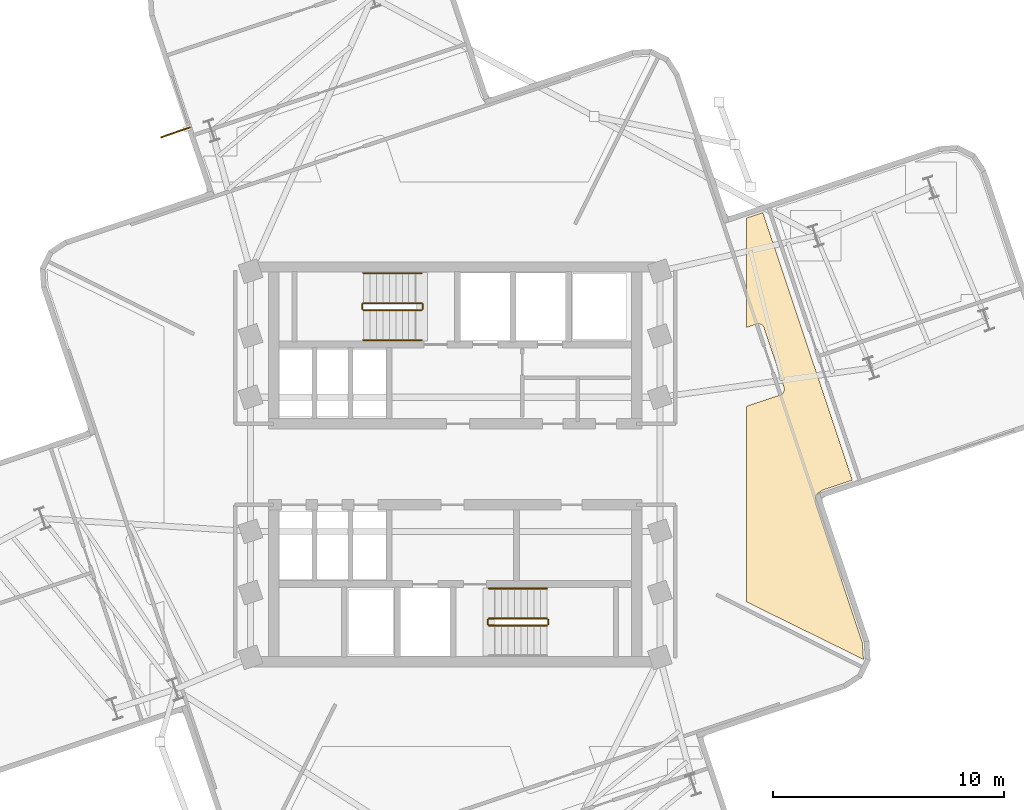
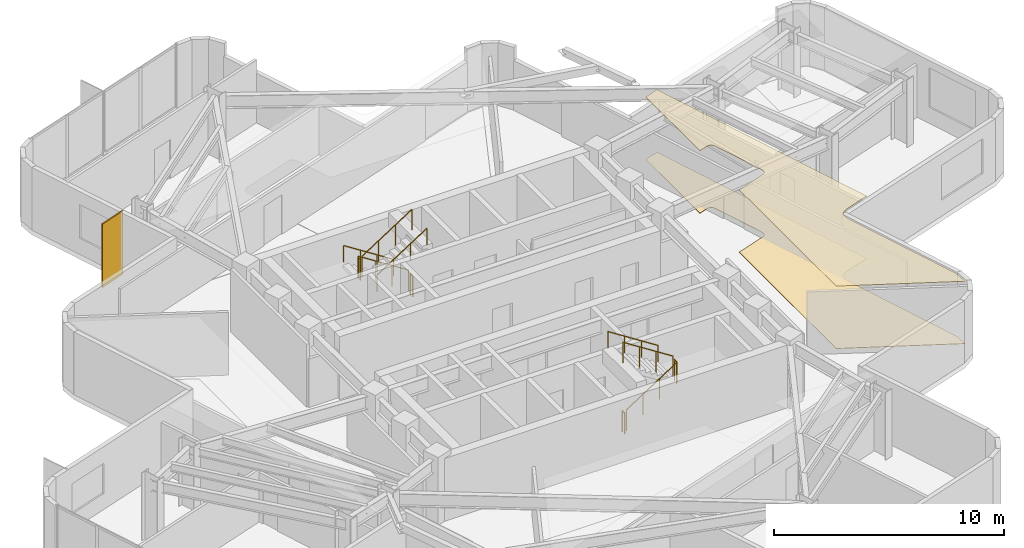
# One storey, part 11 of 12: 11 railings, 2 coverings, 1 shading device.
"""IFC4 building model written with IfcOpenShell, lengths in metres."""

from ifc_helpers import new_model, si_unit, direction, frame, origin, origin_2d, place, context, subcontext, project, spatial, polyline, rectangle, circle, outline, extrude, material, layer, layer_set, type_object, element, save


model = new_model("IFC4")

# Units and contexts
model_context = context("Model", 3, precision=1e-05, world=origin(), true_north=direction((0.0, 1.0)))
body_context = subcontext(model_context, "Body", "Model", "MODEL_VIEW")
ifc_project = project(units=[si_unit("LENGTHUNIT", "METRE"), si_unit("AREAUNIT", "SQUARE_METRE"), si_unit("VOLUMEUNIT", "CUBIC_METRE"), si_unit("PLANEANGLEUNIT", "RADIAN"), si_unit("MASSUNIT", "GRAM", prefix="KILO")], contexts=[model_context])

# Site, building, storey
site_placement = place(None, origin())
site = spatial("IfcSite", under=ifc_project, at=site_placement, CompositionType="ELEMENT")
building_placement = place(site_placement, origin())
building = spatial("IfcBuilding", under=site, at=building_placement, Name="Solmarez Civic Tower", CompositionType="ELEMENT")
storey_placement = place(building_placement, frame((0.0, 0.0, 163.080078125)))
storey = spatial("IfcBuildingStorey", under=building, at=storey_placement, Name="L43", CompositionType="ELEMENT", Elevation=163.080078125)

# Coverings
ifc_material_1 = material(Name="Perforated Mineral-Fibre Acoustic Ceiling")
ifc_layer_1 = layer(ifc_material_1, 0.02490234375)
ifc_layer_set_1 = layer_set([ifc_layer_1], Name="Perforated Mineral-Fibre Acoustic Ceiling")
covering_type_1 = type_object("IfcCoveringType", Name="COV-CEIL-ACOUSTIC", PredefinedType="CEILING", material=ifc_layer_set_1)
covering_1_placement = place(storey_placement, frame((0.0, 0.0, 3.31494140625)))
element("IfcCovering", 1, at=covering_1_placement, inside=storey, type_object=covering_type_1, Name="L43 Suspended Acoustic Ceiling 3", PredefinedType="CEILING", context=body_context, shape_type="SweptSolid", body=[
    extrude(outline(polyline([(12.60009765625, 10.64794921875), (12.60009765625, 5.924072265625), (13.01611328125, 6.06298828125), (13.030029296875, 6.068115234375), (13.050048828125, 6.072998046875), (13.054931640625, 6.073974609375), (13.075927734375, 6.076904296875), (13.097900390625, 6.077880859375), (13.10693359375, 6.077880859375), (13.12890625, 6.076904296875), (13.14990234375, 6.073974609375), (13.155029296875, 6.072998046875), (13.159912109375, 6.072021484375), (13.18701171875, 6.06494140625), (13.196044921875, 6.06201171875), (13.215087890625, 6.053955078125), (13.23291015625, 6.044921875), (13.241943359375, 6.0400390625), (13.259033203125, 6.030029296875), (13.27490234375, 6.01708984375), (13.291015625, 6.00390625), (13.298095703125, 5.9970703125), (13.31396484375, 5.97802734375), (13.3291015625, 5.9580078125), (13.333984375, 5.949951171875), (13.347900390625, 5.922119140625), (13.35205078125, 5.9130859375), (13.360107421875, 5.89404296875), (14.216064453125, 3.3359375), (14.220947265625, 3.322021484375), (14.22607421875, 3.302001953125), (14.22705078125, 3.297119140625), (14.22998046875, 3.27587890625), (14.23095703125, 3.25390625), (14.23095703125, 3.2451171875), (14.22998046875, 3.222900390625), (14.22705078125, 3.201904296875), (14.22607421875, 3.197021484375), (14.22509765625, 3.19189453125), (14.218017578125, 3.1650390625), (14.215087890625, 3.156005859375), (14.2060546875, 3.134033203125), (14.195068359375, 3.113037109375), (14.19189453125, 3.10791015625), (14.180908203125, 3.092041015625), (14.169921875, 3.077880859375), (14.1650390625, 3.072021484375), (14.156982421875, 3.06201171875), (14.14306640625, 3.048095703125), (14.126953125, 3.034912109375), (14.111083984375, 3.02294921875), (14.10302734375, 3.01806640625), (14.074951171875, 3.00390625), (14.06591796875, 3.0), (14.047119140625, 2.991943359375), (12.60009765625, 2.508056640625), (12.60009765625, -5.950927734375), (17.65087890625, -8.43505859375), (17.654052734375, -8.428955078125), (17.610107421875, -7.720947265625), (15.611083984375, -1.748046875), (15.60791015625, -1.738037109375), (15.60595703125, -1.73095703125), (15.60009765625, -1.701904296875), (15.59912109375, -1.695068359375), (15.597900390625, -1.68798828125), (15.595947265625, -1.6708984375), (15.5849609375, -1.4990234375), (15.5849609375, -1.485107421875), (15.5849609375, -1.47802734375), (15.5869140625, -1.450927734375), (15.587890625, -1.43896484375), (15.589111328125, -1.431884765625), (15.593994140625, -1.409912109375), (15.595947265625, -1.402099609375), (15.60107421875, -1.385009765625), (15.60693359375, -1.367919921875), (15.610107421875, -1.361083984375), (15.614990234375, -1.35009765625), (15.617919921875, -1.343994140625), (15.6240234375, -1.3330078125), (15.6279296875, -1.325927734375), (15.637939453125, -1.31005859375), (15.64990234375, -1.2939453125), (15.655029296875, -1.2880859375), (15.659912109375, -1.281982421875), (15.673095703125, -1.26708984375), (15.68798828125, -1.25390625), (15.694091796875, -1.2490234375), (15.712890625, -1.235107421875), (15.718994140625, -1.23095703125), (15.862060546875, -1.135986328125), (15.867919921875, -1.132080078125), (15.885009765625, -1.1220703125), (15.903076171875, -1.113037109375), (15.909912109375, -1.110107421875), (15.927001953125, -1.10302734375), (15.93310546875, -1.10107421875), (17.176025390625, -0.68603515625), (13.303955078125, 10.884033203125), (12.60009765625, 10.64794921875)])), origin(), (0.0, 0.0, 1.0), 0.02490234375),
])
ifc_material_2 = material(Name="Polished Tropical Stone Terrazzo Flooring", Category="masonry")
ifc_layer_2 = layer(ifc_material_2, 0.02001953125)
ifc_layer_set_2 = layer_set([ifc_layer_2], Name="Polished Tropical Stone Terrazzo Flooring")
covering_type_2 = type_object("IfcCoveringType", Name="COV-FLOOR-TERRAZZO", PredefinedType="FLOORING", material=ifc_layer_set_2)
covering_2_placement = place(storey_placement, origin())
element("IfcCovering", 2, at=covering_2_placement, inside=storey, type_object=covering_type_2, Name="L43 Terrazzo Floor Finish 3", PredefinedType="FLOORING", context=body_context, shape_type="SweptSolid", body=[
    extrude(outline(polyline([(12.60009765625, 10.64794921875), (12.60009765625, 5.924072265625), (13.01611328125, 6.06298828125), (13.030029296875, 6.068115234375), (13.050048828125, 6.072998046875), (13.054931640625, 6.073974609375), (13.075927734375, 6.076904296875), (13.097900390625, 6.077880859375), (13.10693359375, 6.077880859375), (13.12890625, 6.076904296875), (13.14990234375, 6.073974609375), (13.155029296875, 6.072998046875), (13.159912109375, 6.072021484375), (13.18701171875, 6.06494140625), (13.196044921875, 6.06201171875), (13.215087890625, 6.053955078125), (13.23291015625, 6.044921875), (13.241943359375, 6.0400390625), (13.259033203125, 6.030029296875), (13.27490234375, 6.01708984375), (13.291015625, 6.00390625), (13.298095703125, 5.9970703125), (13.31396484375, 5.97802734375), (13.3291015625, 5.9580078125), (13.333984375, 5.949951171875), (13.347900390625, 5.922119140625), (13.35205078125, 5.9130859375), (13.360107421875, 5.89404296875), (14.216064453125, 3.3359375), (14.220947265625, 3.322021484375), (14.22607421875, 3.302001953125), (14.22705078125, 3.297119140625), (14.22998046875, 3.27587890625), (14.23095703125, 3.25390625), (14.23095703125, 3.2451171875), (14.22998046875, 3.222900390625), (14.22705078125, 3.201904296875), (14.22607421875, 3.197021484375), (14.22509765625, 3.19189453125), (14.218017578125, 3.1650390625), (14.215087890625, 3.156005859375), (14.2060546875, 3.134033203125), (14.195068359375, 3.113037109375), (14.19189453125, 3.10791015625), (14.180908203125, 3.092041015625), (14.169921875, 3.077880859375), (14.1650390625, 3.072021484375), (14.156982421875, 3.06201171875), (14.14306640625, 3.048095703125), (14.126953125, 3.034912109375), (14.111083984375, 3.02294921875), (14.10302734375, 3.01806640625), (14.074951171875, 3.00390625), (14.06591796875, 3.0), (14.047119140625, 2.991943359375), (12.60009765625, 2.508056640625), (12.60009765625, -5.950927734375), (17.65087890625, -8.43505859375), (17.654052734375, -8.428955078125), (17.610107421875, -7.720947265625), (15.611083984375, -1.748046875), (15.60791015625, -1.738037109375), (15.60595703125, -1.73095703125), (15.60009765625, -1.701904296875), (15.59912109375, -1.695068359375), (15.597900390625, -1.68798828125), (15.595947265625, -1.6708984375), (15.5849609375, -1.4990234375), (15.5849609375, -1.485107421875), (15.5849609375, -1.47802734375), (15.5869140625, -1.450927734375), (15.587890625, -1.43896484375), (15.589111328125, -1.431884765625), (15.593994140625, -1.409912109375), (15.595947265625, -1.402099609375), (15.60107421875, -1.385009765625), (15.60693359375, -1.367919921875), (15.610107421875, -1.361083984375), (15.614990234375, -1.35009765625), (15.617919921875, -1.343994140625), (15.6240234375, -1.3330078125), (15.6279296875, -1.325927734375), (15.637939453125, -1.31005859375), (15.64990234375, -1.2939453125), (15.655029296875, -1.2880859375), (15.659912109375, -1.281982421875), (15.673095703125, -1.26708984375), (15.68798828125, -1.25390625), (15.694091796875, -1.2490234375), (15.712890625, -1.235107421875), (15.718994140625, -1.23095703125), (15.862060546875, -1.135986328125), (15.867919921875, -1.132080078125), (15.885009765625, -1.1220703125), (15.903076171875, -1.113037109375), (15.909912109375, -1.110107421875), (15.927001953125, -1.10302734375), (15.93310546875, -1.10107421875), (17.176025390625, -0.68603515625), (13.303955078125, 10.884033203125), (12.60009765625, 10.64794921875)])), origin(), (0.0, 0.0, 1.0), 0.02001953125),
])

# Shading device
ifc_material_3 = material(Name="Bronze Anodised Aluminium EN AW-6063 T6", Category="aluminium")
ifc_layer_3 = layer(ifc_material_3, 0.06005859375)
ifc_layer_set_3 = layer_set([ifc_layer_3], Name="Bronze Anodised Aluminium EN AW-6063 T6")
shading_device_type = type_object("IfcShadingDeviceType", Name="FIN-BRONZE-Z34", PredefinedType="USERDEFINED", material=ifc_layer_set_3)
shading_device_placement = place(storey_placement, frame((-12.094970703125, 14.35693359375, -0.0400390625), z_axis=(0.0, 0.0, 1.0), x_axis=(-0.944685900276, -0.32797644705, 0.0)))
element("IfcShadingDevice", 3, at=shading_device_placement, inside=storey, type_object=shading_device_type, Name="L43 Anodised Bronze Solar Fin FIN-L43-03", ObjectType="FIN", PredefinedType="USERDEFINED", context=body_context, shape_type="SweptSolid", body=[
    extrude(rectangle(XDim=1.35009765625, YDim=0.06005859375, at=origin_2d()), origin(), (0.0, 0.0, 1.0), 3.3798828125),
])

# Railings
ifc_material_4 = material(Name="Painted Steel Stairwell Safety Guard", Category="steel")
railing_type_1 = type_object("IfcRailingType", Name="GUARD-STAIR-1120", PredefinedType="BALUSTRADE", material=ifc_material_4)
railing_1_placement = place(storey_placement, frame((-1.449951171875, 6.969970703125, 0.179931640625)))
element("IfcRailing", 4, at=railing_1_placement, inside=storey, type_object=railing_type_1, Name="L43 ST-1 stair guard 1", PredefinedType="BALUSTRADE", context=body_context, shape_type="SweptSolid", body=[
    extrude(circle(Radius=0.02392578125, at=origin_2d()), frame((0.0, 0.0, 1.09619140625), z_axis=(-0.841199657755, 0.0, 0.540724639528), x_axis=(0.0, -1.0, 0.0)), (0.0, 0.0, 1.0), 2.995849609375),
    extrude(circle(Radius=0.02099609375, at=origin_2d()), origin(), (0.0, 0.0, 1.0), 1.072021484375),
    extrude(circle(Radius=0.02099609375, at=origin_2d()), frame((-0.840087890625, 0.0, 0.5400390625)), (0.0, 0.0, 1.0), 1.072021484375),
    extrude(circle(Radius=0.02099609375, at=origin_2d()), frame((-1.679931640625, 0.0, 1.079833984375)), (0.0, 0.0, 1.0), 1.072021484375),
    extrude(circle(Radius=0.02099609375, at=origin_2d()), frame((-2.52001953125, 0.0, 1.619873046875)), (0.0, 0.0, 1.0), 1.072021484375),
])
railing_2_placement = place(storey_placement, frame((-4.02001953125, 6.919921875, 1.7998046875)))
element("IfcRailing", 5, at=railing_2_placement, inside=storey, type_object=railing_type_1, Name="L43 ST-1 stair guard 2", PredefinedType="BALUSTRADE", context=body_context, shape_type="SweptSolid", body=[
    extrude(circle(Radius=0.02392578125, at=origin_2d()), frame((0.0, 0.0, 1.09619140625), z_axis=(0.0, -1.0, 0.0), x_axis=(1.0, 0.0, 0.0)), (0.0, 0.0, 1.0), 0.199951171875),
    extrude(circle(Radius=0.02099609375, at=origin_2d()), origin(), (0.0, 0.0, 1.0), 1.072021484375),
    extrude(circle(Radius=0.02099609375, at=origin_2d()), frame((0.0, -0.199951171875, 0.0)), (0.0, 0.0, 1.0), 1.072021484375),
])
railing_3_placement = place(storey_placement, frame((-3.969970703125, 6.669921875, 1.97998046875)))
element("IfcRailing", 6, at=railing_3_placement, inside=storey, type_object=railing_type_1, Name="L43 ST-1 stair guard 3", PredefinedType="BALUSTRADE", context=body_context, shape_type="SweptSolid", body=[
    extrude(circle(Radius=0.02392578125, at=origin_2d()), frame((0.0, 0.0, 1.09619140625), z_axis=(0.841199657755, 0.0, 0.540724639528), x_axis=(0.0, 1.0, 0.0)), (0.0, 0.0, 1.0), 2.995849609375),
    extrude(circle(Radius=0.02099609375, at=origin_2d()), origin(), (0.0, 0.0, 1.0), 1.072021484375),
    extrude(circle(Radius=0.02099609375, at=origin_2d()), frame((0.840087890625, 0.0, 0.5400390625)), (0.0, 0.0, 1.0), 1.072021484375),
    extrude(circle(Radius=0.02099609375, at=origin_2d()), frame((1.679931640625, 0.0, 1.079833984375)), (0.0, 0.0, 1.0), 1.072021484375),
    extrude(circle(Radius=0.02099609375, at=origin_2d()), frame((2.52001953125, 0.0, 1.619873046875)), (0.0, 0.0, 1.0), 1.072021484375),
])
railing_4_placement = place(storey_placement, frame((-1.39990234375, 6.919921875, 0.0)))
element("IfcRailing", 7, at=railing_4_placement, inside=storey, type_object=railing_type_1, Name="L43 ST-1 stair guard 4", PredefinedType="BALUSTRADE", context=body_context, shape_type="SweptSolid", body=[
    extrude(circle(Radius=0.02392578125, at=origin_2d()), frame((0.0, 0.0, 1.09619140625), z_axis=(0.0, -1.0, 0.0), x_axis=(1.0, 0.0, 0.0)), (0.0, 0.0, 1.0), 0.199951171875),
    extrude(circle(Radius=0.02099609375, at=origin_2d()), origin(), (0.0, 0.0, 1.0), 1.072021484375),
    extrude(circle(Radius=0.02099609375, at=origin_2d()), frame((0.0, -0.199951171875, 0.0)), (0.0, 0.0, 1.0), 1.072021484375),
])
railing_5_placement = place(storey_placement, frame((1.449951171875, -6.969970703125, 0.179931640625)))
element("IfcRailing", 8, at=railing_5_placement, inside=storey, type_object=railing_type_1, Name="L43 ST-2 stair guard 1", PredefinedType="BALUSTRADE", context=body_context, shape_type="SweptSolid", body=[
    extrude(circle(Radius=0.02392578125, at=origin_2d()), frame((0.0, 0.0, 1.09619140625), z_axis=(0.841199657755, 0.0, 0.540724639528), x_axis=(0.0, 1.0, 0.0)), (0.0, 0.0, 1.0), 2.995849609375),
    extrude(circle(Radius=0.02099609375, at=origin_2d()), origin(), (0.0, 0.0, 1.0), 1.072021484375),
    extrude(circle(Radius=0.02099609375, at=origin_2d()), frame((0.840087890625, 0.0, 0.5400390625)), (0.0, 0.0, 1.0), 1.072021484375),
    extrude(circle(Radius=0.02099609375, at=origin_2d()), frame((1.679931640625, 0.0, 1.079833984375)), (0.0, 0.0, 1.0), 1.072021484375),
    extrude(circle(Radius=0.02099609375, at=origin_2d()), frame((2.52001953125, 0.0, 1.619873046875)), (0.0, 0.0, 1.0), 1.072021484375),
])
railing_6_placement = place(storey_placement, frame((4.02001953125, -6.919921875, 1.7998046875)))
element("IfcRailing", 9, at=railing_6_placement, inside=storey, type_object=railing_type_1, Name="L43 ST-2 stair guard 2", PredefinedType="BALUSTRADE", context=body_context, shape_type="SweptSolid", body=[
    extrude(circle(Radius=0.02392578125, at=origin_2d()), frame((0.0, 0.0, 1.09619140625), z_axis=(0.0, 1.0, 0.0), x_axis=(-1.0, 0.0, 0.0)), (0.0, 0.0, 1.0), 0.199951171875),
    extrude(circle(Radius=0.02099609375, at=origin_2d()), origin(), (0.0, 0.0, 1.0), 1.072021484375),
    extrude(circle(Radius=0.02099609375, at=origin_2d()), frame((0.0, 0.199951171875, 0.0)), (0.0, 0.0, 1.0), 1.072021484375),
])
railing_7_placement = place(storey_placement, frame((3.969970703125, -6.669921875, 1.97998046875)))
element("IfcRailing", 10, at=railing_7_placement, inside=storey, type_object=railing_type_1, Name="L43 ST-2 stair guard 3", PredefinedType="BALUSTRADE", context=body_context, shape_type="SweptSolid", body=[
    extrude(circle(Radius=0.02392578125, at=origin_2d()), frame((0.0, 0.0, 1.09619140625), z_axis=(-0.841199657755, 0.0, 0.540724639528), x_axis=(0.0, -1.0, 0.0)), (0.0, 0.0, 1.0), 2.995849609375),
    extrude(circle(Radius=0.02099609375, at=origin_2d()), origin(), (0.0, 0.0, 1.0), 1.072021484375),
    extrude(circle(Radius=0.02099609375, at=origin_2d()), frame((-0.840087890625, 0.0, 0.5400390625)), (0.0, 0.0, 1.0), 1.072021484375),
    extrude(circle(Radius=0.02099609375, at=origin_2d()), frame((-1.679931640625, 0.0, 1.079833984375)), (0.0, 0.0, 1.0), 1.072021484375),
    extrude(circle(Radius=0.02099609375, at=origin_2d()), frame((-2.52001953125, 0.0, 1.619873046875)), (0.0, 0.0, 1.0), 1.072021484375),
])
railing_8_placement = place(storey_placement, frame((1.39990234375, -6.919921875, 0.0)))
element("IfcRailing", 11, at=railing_8_placement, inside=storey, type_object=railing_type_1, Name="L43 ST-2 stair guard 4", PredefinedType="BALUSTRADE", context=body_context, shape_type="SweptSolid", body=[
    extrude(circle(Radius=0.02392578125, at=origin_2d()), frame((0.0, 0.0, 1.09619140625), z_axis=(0.0, 1.0, 0.0), x_axis=(-1.0, 0.0, 0.0)), (0.0, 0.0, 1.0), 0.199951171875),
    extrude(circle(Radius=0.02099609375, at=origin_2d()), origin(), (0.0, 0.0, 1.0), 1.072021484375),
    extrude(circle(Radius=0.02099609375, at=origin_2d()), frame((0.0, 0.199951171875, 0.0)), (0.0, 0.0, 1.0), 1.072021484375),
])
ifc_material_5 = material(Name="Brushed Stainless Steel Tube Handrail", Category="steel")
railing_type_2 = type_object("IfcRailingType", Name="HANDRAIL-STAIR-900", PredefinedType="HANDRAIL", material=ifc_material_5)
railing_9_placement = place(storey_placement, frame((-1.449951171875, 8.27001953125, 0.179931640625)))
element("IfcRailing", 12, at=railing_9_placement, inside=storey, type_object=railing_type_2, Name="L43 ST-1 stair handrail 1", PredefinedType="HANDRAIL", context=body_context, shape_type="SweptSolid", body=[
    extrude(circle(Radius=0.02392578125, at=origin_2d()), frame((0.0, 0.0, 0.8759765625), z_axis=(-0.841199657755, 0.0, 0.540724639528), x_axis=(0.0, -1.0, 0.0)), (0.0, 0.0, 1.0), 2.995849609375),
    extrude(circle(Radius=0.02099609375, at=origin_2d()), origin(), (0.0, 0.0, 1.0), 0.851806640625),
    extrude(circle(Radius=0.02099609375, at=origin_2d()), frame((-0.840087890625, 0.0, 0.5400390625)), (0.0, 0.0, 1.0), 0.851806640625),
    extrude(circle(Radius=0.02099609375, at=origin_2d()), frame((-1.679931640625, 0.0, 1.079833984375)), (0.0, 0.0, 1.0), 0.851806640625),
    extrude(circle(Radius=0.02099609375, at=origin_2d()), frame((-2.52001953125, 0.0, 1.619873046875)), (0.0, 0.0, 1.0), 0.851806640625),
])
railing_10_placement = place(storey_placement, frame((-3.969970703125, 5.3701171875, 1.97998046875)))
element("IfcRailing", 13, at=railing_10_placement, inside=storey, type_object=railing_type_2, Name="L43 ST-1 stair handrail 2", PredefinedType="HANDRAIL", context=body_context, shape_type="SweptSolid", body=[
    extrude(circle(Radius=0.02392578125, at=origin_2d()), frame((0.0, 0.0, 0.8759765625), z_axis=(0.841199657755, 0.0, 0.540724639528), x_axis=(0.0, 1.0, 0.0)), (0.0, 0.0, 1.0), 2.995849609375),
    extrude(circle(Radius=0.02099609375, at=origin_2d()), origin(), (0.0, 0.0, 1.0), 0.851806640625),
    extrude(circle(Radius=0.02099609375, at=origin_2d()), frame((0.840087890625, 0.0, 0.5400390625)), (0.0, 0.0, 1.0), 0.851806640625),
    extrude(circle(Radius=0.02099609375, at=origin_2d()), frame((1.679931640625, 0.0, 1.079833984375)), (0.0, 0.0, 1.0), 0.851806640625),
    extrude(circle(Radius=0.02099609375, at=origin_2d()), frame((2.52001953125, 0.0, 1.619873046875)), (0.0, 0.0, 1.0), 0.851806640625),
])
railing_11_placement = place(storey_placement, frame((3.969970703125, -5.3701171875, 1.97998046875)))
element("IfcRailing", 14, at=railing_11_placement, inside=storey, type_object=railing_type_2, Name="L43 ST-2 stair handrail 2", PredefinedType="HANDRAIL", context=body_context, shape_type="SweptSolid", body=[
    extrude(circle(Radius=0.02392578125, at=origin_2d()), frame((0.0, 0.0, 0.8759765625), z_axis=(-0.841199657755, 0.0, 0.540724639528), x_axis=(0.0, -1.0, 0.0)), (0.0, 0.0, 1.0), 2.995849609375),
    extrude(circle(Radius=0.02099609375, at=origin_2d()), origin(), (0.0, 0.0, 1.0), 0.851806640625),
    extrude(circle(Radius=0.02099609375, at=origin_2d()), frame((-0.840087890625, 0.0, 0.5400390625)), (0.0, 0.0, 1.0), 0.851806640625),
    extrude(circle(Radius=0.02099609375, at=origin_2d()), frame((-1.679931640625, 0.0, 1.079833984375)), (0.0, 0.0, 1.0), 0.851806640625),
    extrude(circle(Radius=0.02099609375, at=origin_2d()), frame((-2.52001953125, 0.0, 1.619873046875)), (0.0, 0.0, 1.0), 0.851806640625),
])

save(model, "model.ifc")
